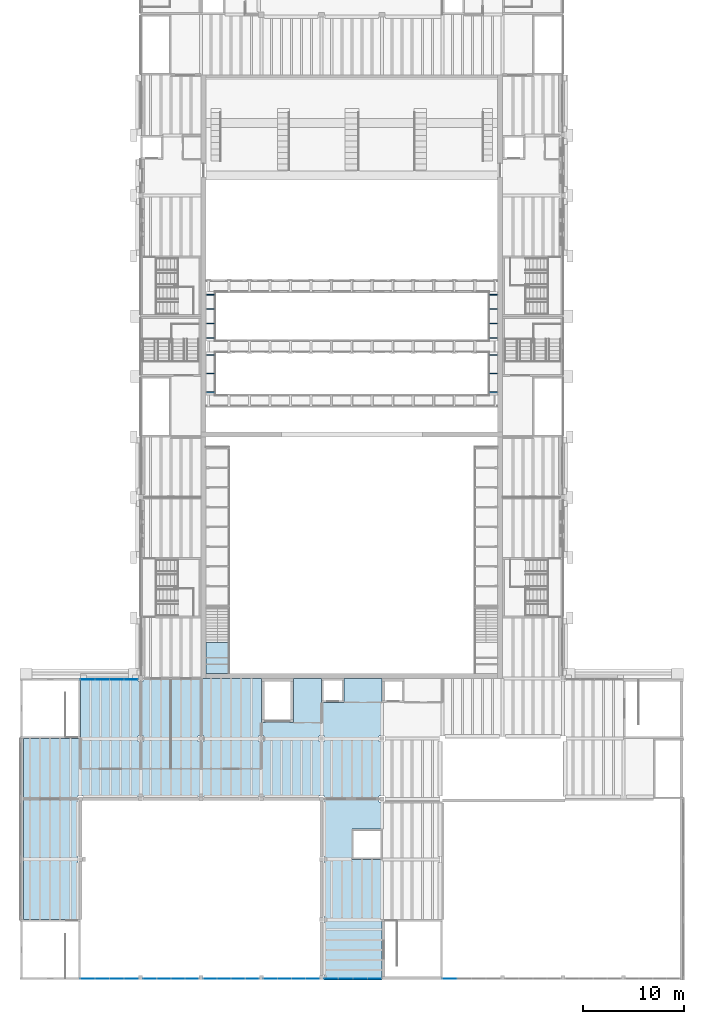
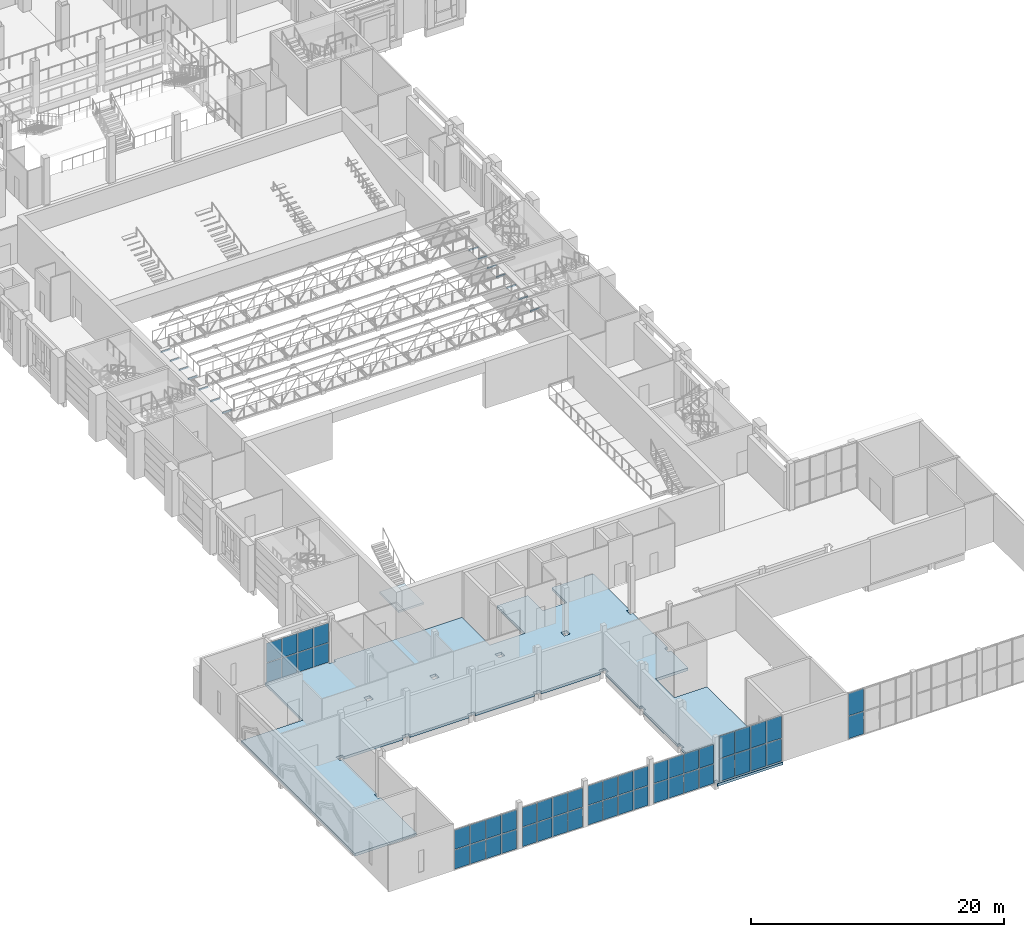
# One storey, part 17 of 70: 50 plates, 14 beams, 2 slabs, 8 elements without a shape of their own.
"""IFC4 building model written with IfcOpenShell, lengths in metres."""

from ifc_helpers import new_model, si_unit, direction, frame, origin, origin_2d, place, context, subcontext, project, spatial, polyline, rectangle, hollow_rectangle, outline, extrude, material, layer, layer_set, material_profile, profile_set, type_object, element, aggregate, save


model = new_model("IFC4")

# Units and contexts
model_context = context("Model", 3, precision=1e-05, world=origin(), true_north=direction((0.0, 1.0)))
body_context = subcontext(model_context, "Body", "Model", "MODEL_VIEW")
ifc_project = project(units=[si_unit("LENGTHUNIT", "METRE"), si_unit("AREAUNIT", "SQUARE_METRE"), si_unit("VOLUMEUNIT", "CUBIC_METRE"), si_unit("PLANEANGLEUNIT", "RADIAN"), si_unit("MASSUNIT", "GRAM", prefix="KILO")], contexts=[model_context])

# Site, building, storey
site_placement = place(None, origin())
site = spatial("IfcSite", under=ifc_project, at=site_placement, CompositionType="ELEMENT")
building_placement = place(site_placement, origin())
building = spatial("IfcBuilding", under=site, at=building_placement, Name="Saffron Lane Theatres", CompositionType="ELEMENT")
storey_placement = place(building_placement, frame((0.0, 0.0, 12.0)))
storey = spatial("IfcBuildingStorey", under=building, at=storey_placement, Name="L02", CompositionType="ELEMENT", Elevation=12.0)

# Beams
ifc_material_1 = material(Name="Steel Grade 350", Category="steel")
ifc_material_profile = material_profile(ifc_material_1, hollow_rectangle(XDim=0.074951171875, YDim=0.125, WallThickness=0.0048828125, InnerFilletRadius=0.00244140625, OuterFilletRadius=0.007568359375, at=origin_2d()))
ifc_profile_set = profile_set([ifc_material_profile], Name="Steel Grade 350")
beam_type = type_object("IfcBeamType", Name="ST-GALLERY EDGE 125x75x5 RHS", PredefinedType="BEAM", material=ifc_profile_set)
for number, where, z_axis, x_axis, name in (
    (1, (18.5, 58.449951171875, 4.3974609375), (1.0, 0.0, 0.0), (0.0, 1.0, 0.0), "CW1"),
    (2, (18.5, 60.300048828125, 4.3974609375), (1.0, 0.0, 0.0), (0.0, 1.0, 0.0), "CW2"),
    (3, (18.5, 62.14990234375, 4.3974609375), (1.0, 0.0, 0.0), (0.0, 1.0, 0.0), "CW3"),
    (4, (46.64990234375, 58.449951171875, 4.3974609375), (1.0, 0.0, 0.0), (0.0, 1.0, 0.0), "CW4"),
    (5, (46.64990234375, 60.300048828125, 4.3974609375), (1.0, 0.0, 0.0), (0.0, 1.0, 0.0), "CW5"),
    (6, (46.64990234375, 62.14990234375, 4.3974609375), (1.0, 0.0, 0.0), (0.0, 1.0, 0.0), "CW6"),
    (7, (18.5, 63.85009765625, 4.3974609375), (1.0, 0.0, 0.0), (0.0, 1.0, 0.0), "CW7"),
    (8, (18.5, 65.283447265625, 4.3974609375), (1.0, 0.0, 0.0), (0.0, 1.0, 0.0), "CW8"),
    (9, (18.5, 66.716552734375, 4.3974609375), (1.0, 0.0, 0.0), (0.0, 1.0, 0.0), "CW9"),
    (10, (18.5, 68.14990234375, 4.3974609375), (1.0, 0.0, 0.0), (0.0, 1.0, 0.0), "CW10"),
    (11, (46.64990234375, 63.85009765625, 4.3974609375), (1.0, 0.0, 0.0), (0.0, 1.0, 0.0), "CW11"),
    (12, (46.64990234375, 65.283447265625, 4.3974609375), (1.0, 0.0, 0.0), (0.0, 1.0, 0.0), "CW12"),
    (13, (46.64990234375, 66.716552734375, 4.3974609375), (1.0, 0.0, 0.0), (0.0, 1.0, 0.0), "CW13"),
    (14, (46.64990234375, 68.14990234375, 4.3974609375), (1.0, 0.0, 0.0), (0.0, 1.0, 0.0), "CW14"),
):
    element("IfcBeam", number, at=place(storey_placement, frame(where, z_axis=z_axis, x_axis=x_axis)), inside=storey, type_object=beam_type, Name=name, PredefinedType="BEAM", context=body_context, shape_type="SweptSolid", body=[
        extrude(hollow_rectangle(XDim=0.074951171875, YDim=0.125, WallThickness=0.0048828125, InnerFilletRadius=0.00244140625, OuterFilletRadius=0.007568359375, at=origin_2d()), origin(), (0.0, 0.0, 1.0), 0.85009765625),
    ])

# Curtain wall, plates
ifc_material_2 = material(Name="Aluminium", Category="aluminium")
curtain_wall_type_1 = type_object("IfcCurtainWallType", Name="EX-CURTAIN WALL 5780x3900x160", PredefinedType="NOTDEFINED", material=ifc_material_2)
curtain_wall_1_placement = place(storey_placement, origin())
curtain_wall_1 = element("IfcCurtainWall", 15, at=curtain_wall_1_placement, inside=storey, type_object=curtain_wall_type_1, Name="Curtain wall L02 01", PredefinedType="NOTDEFINED")
ifc_material_3 = material(Name="Glass", Category="glass")
ifc_layer_1 = layer(ifc_material_3, 0.02392578125)
ifc_layer_set_1 = layer_set([ifc_layer_1], Name="Glass")
plate_type_1 = type_object("IfcPlateType", Name="EX-CW PANEL GLAZING 24", PredefinedType="CURTAIN_PANEL", material=ifc_layer_set_1)
plate_1_placement = place(storey_placement, frame((6.73681640625, 29.8701171875, 0.06005859375), z_axis=(0.0, 0.0, 1.0), x_axis=(1.0, 0.0, 0.0)))
plate_1 = element("IfcPlate", 16, at=plate_1_placement, type_object=plate_type_1, Name="CW-02-01 panel 1.1", PredefinedType="CURTAIN_PANEL", context=body_context, shape_type="SweptSolid", body=[
    extrude(rectangle(XDim=1.353759765625, YDim=0.02392578125, at=origin_2d()), origin(), (0.0, 0.0, 1.0), 1.85986328125),
])
plate_2_placement = place(storey_placement, frame((6.73681640625, 29.8701171875, 1.97998046875), z_axis=(0.0, 0.0, 1.0), x_axis=(1.0, 0.0, 0.0)))
plate_2 = element("IfcPlate", 17, at=plate_2_placement, type_object=plate_type_1, Name="CW-02-01 panel 1.2", PredefinedType="CURTAIN_PANEL", context=body_context, shape_type="SweptSolid", body=[
    extrude(rectangle(XDim=1.353759765625, YDim=0.02392578125, at=origin_2d()), origin(), (0.0, 0.0, 1.0), 1.85986328125),
])
plate_3_placement = place(storey_placement, frame((8.16552734375, 29.8701171875, 0.06005859375), z_axis=(0.0, 0.0, 1.0), x_axis=(1.0, 0.0, 0.0)))
plate_3 = element("IfcPlate", 18, at=plate_3_placement, type_object=plate_type_1, Name="CW-02-01 panel 2.1", PredefinedType="CURTAIN_PANEL", context=body_context, shape_type="SweptSolid", body=[
    extrude(rectangle(XDim=1.3837890625, YDim=0.02392578125, at=origin_2d()), origin(), (0.0, 0.0, 1.0), 1.85986328125),
])
plate_4_placement = place(storey_placement, frame((8.16552734375, 29.8701171875, 1.97998046875), z_axis=(0.0, 0.0, 1.0), x_axis=(1.0, 0.0, 0.0)))
plate_4 = element("IfcPlate", 19, at=plate_4_placement, type_object=plate_type_1, Name="CW-02-01 panel 2.2", PredefinedType="CURTAIN_PANEL", context=body_context, shape_type="SweptSolid", body=[
    extrude(rectangle(XDim=1.3837890625, YDim=0.02392578125, at=origin_2d()), origin(), (0.0, 0.0, 1.0), 1.85986328125),
])
plate_5_placement = place(storey_placement, frame((9.609375, 29.8701171875, 0.06005859375), z_axis=(0.0, 0.0, 1.0), x_axis=(1.0, 0.0, 0.0)))
plate_5 = element("IfcPlate", 20, at=plate_5_placement, type_object=plate_type_1, Name="CW-02-01 panel 3.1", PredefinedType="CURTAIN_PANEL", context=body_context, shape_type="SweptSolid", body=[
    extrude(rectangle(XDim=1.3837890625, YDim=0.02392578125, at=origin_2d()), origin(), (0.0, 0.0, 1.0), 1.85986328125),
])
plate_6_placement = place(storey_placement, frame((9.609375, 29.8701171875, 1.97998046875), z_axis=(0.0, 0.0, 1.0), x_axis=(1.0, 0.0, 0.0)))
plate_6 = element("IfcPlate", 21, at=plate_6_placement, type_object=plate_type_1, Name="CW-02-01 panel 3.2", PredefinedType="CURTAIN_PANEL", context=body_context, shape_type="SweptSolid", body=[
    extrude(rectangle(XDim=1.3837890625, YDim=0.02392578125, at=origin_2d()), origin(), (0.0, 0.0, 1.0), 1.85986328125),
])
plate_7_placement = place(storey_placement, frame((11.0380859375, 29.8701171875, 0.06005859375), z_axis=(0.0, 0.0, 1.0), x_axis=(1.0, 0.0, 0.0)))
plate_7 = element("IfcPlate", 22, at=plate_7_placement, type_object=plate_type_1, Name="CW-02-01 panel 4.1", PredefinedType="CURTAIN_PANEL", context=body_context, shape_type="SweptSolid", body=[
    extrude(rectangle(XDim=1.353759765625, YDim=0.02392578125, at=origin_2d()), origin(), (0.0, 0.0, 1.0), 1.85986328125),
])
plate_8_placement = place(storey_placement, frame((11.0380859375, 29.8701171875, 1.97998046875), z_axis=(0.0, 0.0, 1.0), x_axis=(1.0, 0.0, 0.0)))
plate_8 = element("IfcPlate", 23, at=plate_8_placement, type_object=plate_type_1, Name="CW-02-01 panel 4.2", PredefinedType="CURTAIN_PANEL", context=body_context, shape_type="SweptSolid", body=[
    extrude(rectangle(XDim=1.353759765625, YDim=0.02392578125, at=origin_2d()), origin(), (0.0, 0.0, 1.0), 1.85986328125),
])
aggregate(curtain_wall_1, [plate_1, plate_2, plate_3, plate_4, plate_5, plate_6, plate_7, plate_8])

ifc_material_4 = material(Name="Aluminium", Category="aluminium")
curtain_wall_type_2 = type_object("IfcCurtainWallType", Name="EX-CURTAIN WALL 5600x3900x160", PredefinedType="NOTDEFINED", material=ifc_material_4)
curtain_wall_2_placement = place(storey_placement, origin())
curtain_wall_2 = element("IfcCurtainWall", 24, at=curtain_wall_2_placement, inside=storey, type_object=curtain_wall_type_2, Name="Curtain wall L02 10", PredefinedType="NOTDEFINED")
plate_9_placement = place(storey_placement, frame((29.0849609375, 0.1298828125, 0.06005859375), z_axis=(0.0, 0.0, 1.0), x_axis=(-1.0, 0.0, 0.0)))
plate_9 = element("IfcPlate", 25, at=plate_9_placement, type_object=plate_type_1, Name="CW-02-10 panel 1.1", PredefinedType="CURTAIN_PANEL", context=body_context, shape_type="SweptSolid", body=[
    extrude(rectangle(XDim=1.31005859375, YDim=0.02392578125, at=origin_2d()), origin(), (0.0, 0.0, 1.0), 1.85986328125),
])
plate_10_placement = place(storey_placement, frame((29.0849609375, 0.1298828125, 1.97998046875), z_axis=(0.0, 0.0, 1.0), x_axis=(-1.0, 0.0, 0.0)))
plate_10 = element("IfcPlate", 26, at=plate_10_placement, type_object=plate_type_1, Name="CW-02-10 panel 1.2", PredefinedType="CURTAIN_PANEL", context=body_context, shape_type="SweptSolid", body=[
    extrude(rectangle(XDim=1.31005859375, YDim=0.02392578125, at=origin_2d()), origin(), (0.0, 0.0, 1.0), 1.85986328125),
])
plate_11_placement = place(storey_placement, frame((27.699951171875, 0.1298828125, 0.06005859375), z_axis=(0.0, 0.0, 1.0), x_axis=(-1.0, 0.0, 0.0)))
plate_11 = element("IfcPlate", 27, at=plate_11_placement, type_object=plate_type_1, Name="CW-02-10 panel 2.1", PredefinedType="CURTAIN_PANEL", context=body_context, shape_type="SweptSolid", body=[
    extrude(rectangle(XDim=1.340087890625, YDim=0.02392578125, at=origin_2d()), origin(), (0.0, 0.0, 1.0), 1.85986328125),
])
plate_12_placement = place(storey_placement, frame((27.699951171875, 0.1298828125, 1.97998046875), z_axis=(0.0, 0.0, 1.0), x_axis=(-1.0, 0.0, 0.0)))
plate_12 = element("IfcPlate", 28, at=plate_12_placement, type_object=plate_type_1, Name="CW-02-10 panel 2.2", PredefinedType="CURTAIN_PANEL", context=body_context, shape_type="SweptSolid", body=[
    extrude(rectangle(XDim=1.340087890625, YDim=0.02392578125, at=origin_2d()), origin(), (0.0, 0.0, 1.0), 1.85986328125),
])
plate_13_placement = place(storey_placement, frame((26.300048828125, 0.1298828125, 0.06005859375), z_axis=(0.0, 0.0, 1.0), x_axis=(-1.0, 0.0, 0.0)))
plate_13 = element("IfcPlate", 29, at=plate_13_placement, type_object=plate_type_1, Name="CW-02-10 panel 3.1", PredefinedType="CURTAIN_PANEL", context=body_context, shape_type="SweptSolid", body=[
    extrude(rectangle(XDim=1.340087890625, YDim=0.02392578125, at=origin_2d()), origin(), (0.0, 0.0, 1.0), 1.85986328125),
])
plate_14_placement = place(storey_placement, frame((26.300048828125, 0.1298828125, 1.97998046875), z_axis=(0.0, 0.0, 1.0), x_axis=(-1.0, 0.0, 0.0)))
plate_14 = element("IfcPlate", 30, at=plate_14_placement, type_object=plate_type_1, Name="CW-02-10 panel 3.2", PredefinedType="CURTAIN_PANEL", context=body_context, shape_type="SweptSolid", body=[
    extrude(rectangle(XDim=1.340087890625, YDim=0.02392578125, at=origin_2d()), origin(), (0.0, 0.0, 1.0), 1.85986328125),
])
plate_15_placement = place(storey_placement, frame((24.9150390625, 0.1298828125, 0.06005859375), z_axis=(0.0, 0.0, 1.0), x_axis=(-1.0, 0.0, 0.0)))
plate_15 = element("IfcPlate", 31, at=plate_15_placement, type_object=plate_type_1, Name="CW-02-10 panel 4.1", PredefinedType="CURTAIN_PANEL", context=body_context, shape_type="SweptSolid", body=[
    extrude(rectangle(XDim=1.31005859375, YDim=0.02392578125, at=origin_2d()), origin(), (0.0, 0.0, 1.0), 1.85986328125),
])
plate_16_placement = place(storey_placement, frame((24.9150390625, 0.1298828125, 1.97998046875), z_axis=(0.0, 0.0, 1.0), x_axis=(-1.0, 0.0, 0.0)))
plate_16 = element("IfcPlate", 32, at=plate_16_placement, type_object=plate_type_1, Name="CW-02-10 panel 4.2", PredefinedType="CURTAIN_PANEL", context=body_context, shape_type="SweptSolid", body=[
    extrude(rectangle(XDim=1.31005859375, YDim=0.02392578125, at=origin_2d()), origin(), (0.0, 0.0, 1.0), 1.85986328125),
])
aggregate(curtain_wall_2, [plate_9, plate_10, plate_11, plate_12, plate_13, plate_14, plate_15, plate_16])

curtain_wall_3_placement = place(storey_placement, origin())
curtain_wall_3 = element("IfcCurtainWall", 33, at=curtain_wall_3_placement, inside=storey, type_object=curtain_wall_type_2, Name="Curtain wall L02 11", PredefinedType="NOTDEFINED")
plate_17_placement = place(storey_placement, frame((23.0849609375, 0.1298828125, 0.06005859375), z_axis=(0.0, 0.0, 1.0), x_axis=(-1.0, 0.0, 0.0)))
plate_17 = element("IfcPlate", 34, at=plate_17_placement, type_object=plate_type_1, Name="CW-02-11 panel 1.1", PredefinedType="CURTAIN_PANEL", context=body_context, shape_type="SweptSolid", body=[
    extrude(rectangle(XDim=1.31005859375, YDim=0.02392578125, at=origin_2d()), origin(), (0.0, 0.0, 1.0), 1.85986328125),
])
plate_18_placement = place(storey_placement, frame((23.0849609375, 0.1298828125, 1.97998046875), z_axis=(0.0, 0.0, 1.0), x_axis=(-1.0, 0.0, 0.0)))
plate_18 = element("IfcPlate", 35, at=plate_18_placement, type_object=plate_type_1, Name="CW-02-11 panel 1.2", PredefinedType="CURTAIN_PANEL", context=body_context, shape_type="SweptSolid", body=[
    extrude(rectangle(XDim=1.31005859375, YDim=0.02392578125, at=origin_2d()), origin(), (0.0, 0.0, 1.0), 1.85986328125),
])
plate_19_placement = place(storey_placement, frame((21.699951171875, 0.1298828125, 0.06005859375), z_axis=(0.0, 0.0, 1.0), x_axis=(-1.0, 0.0, 0.0)))
plate_19 = element("IfcPlate", 36, at=plate_19_placement, type_object=plate_type_1, Name="CW-02-11 panel 2.1", PredefinedType="CURTAIN_PANEL", context=body_context, shape_type="SweptSolid", body=[
    extrude(rectangle(XDim=1.340087890625, YDim=0.02392578125, at=origin_2d()), origin(), (0.0, 0.0, 1.0), 1.85986328125),
])
plate_20_placement = place(storey_placement, frame((21.699951171875, 0.1298828125, 1.97998046875), z_axis=(0.0, 0.0, 1.0), x_axis=(-1.0, 0.0, 0.0)))
plate_20 = element("IfcPlate", 37, at=plate_20_placement, type_object=plate_type_1, Name="CW-02-11 panel 2.2", PredefinedType="CURTAIN_PANEL", context=body_context, shape_type="SweptSolid", body=[
    extrude(rectangle(XDim=1.340087890625, YDim=0.02392578125, at=origin_2d()), origin(), (0.0, 0.0, 1.0), 1.85986328125),
])
plate_21_placement = place(storey_placement, frame((20.300048828125, 0.1298828125, 0.06005859375), z_axis=(0.0, 0.0, 1.0), x_axis=(-1.0, 0.0, 0.0)))
plate_21 = element("IfcPlate", 38, at=plate_21_placement, type_object=plate_type_1, Name="CW-02-11 panel 3.1", PredefinedType="CURTAIN_PANEL", context=body_context, shape_type="SweptSolid", body=[
    extrude(rectangle(XDim=1.340087890625, YDim=0.02392578125, at=origin_2d()), origin(), (0.0, 0.0, 1.0), 1.85986328125),
])
plate_22_placement = place(storey_placement, frame((20.300048828125, 0.1298828125, 1.97998046875), z_axis=(0.0, 0.0, 1.0), x_axis=(-1.0, 0.0, 0.0)))
plate_22 = element("IfcPlate", 39, at=plate_22_placement, type_object=plate_type_1, Name="CW-02-11 panel 3.2", PredefinedType="CURTAIN_PANEL", context=body_context, shape_type="SweptSolid", body=[
    extrude(rectangle(XDim=1.340087890625, YDim=0.02392578125, at=origin_2d()), origin(), (0.0, 0.0, 1.0), 1.85986328125),
])
plate_23_placement = place(storey_placement, frame((18.9150390625, 0.1298828125, 0.06005859375), z_axis=(0.0, 0.0, 1.0), x_axis=(-1.0, 0.0, 0.0)))
plate_23 = element("IfcPlate", 40, at=plate_23_placement, type_object=plate_type_1, Name="CW-02-11 panel 4.1", PredefinedType="CURTAIN_PANEL", context=body_context, shape_type="SweptSolid", body=[
    extrude(rectangle(XDim=1.31005859375, YDim=0.02392578125, at=origin_2d()), origin(), (0.0, 0.0, 1.0), 1.85986328125),
])
plate_24_placement = place(storey_placement, frame((18.9150390625, 0.1298828125, 1.97998046875), z_axis=(0.0, 0.0, 1.0), x_axis=(-1.0, 0.0, 0.0)))
plate_24 = element("IfcPlate", 41, at=plate_24_placement, type_object=plate_type_1, Name="CW-02-11 panel 4.2", PredefinedType="CURTAIN_PANEL", context=body_context, shape_type="SweptSolid", body=[
    extrude(rectangle(XDim=1.31005859375, YDim=0.02392578125, at=origin_2d()), origin(), (0.0, 0.0, 1.0), 1.85986328125),
])
aggregate(curtain_wall_3, [plate_17, plate_18, plate_19, plate_20, plate_21, plate_22, plate_23, plate_24])

curtain_wall_4_placement = place(storey_placement, origin())
curtain_wall_4 = element("IfcCurtainWall", 42, at=curtain_wall_4_placement, inside=storey, type_object=curtain_wall_type_2, Name="Curtain wall L02 12", PredefinedType="NOTDEFINED")
plate_25_placement = place(storey_placement, frame((17.0849609375, 0.1298828125, 0.06005859375), z_axis=(0.0, 0.0, 1.0), x_axis=(-1.0, 0.0, 0.0)))
plate_25 = element("IfcPlate", 43, at=plate_25_placement, type_object=plate_type_1, Name="CW-02-12 panel 1.1", PredefinedType="CURTAIN_PANEL", context=body_context, shape_type="SweptSolid", body=[
    extrude(rectangle(XDim=1.31005859375, YDim=0.02392578125, at=origin_2d()), origin(), (0.0, 0.0, 1.0), 1.85986328125),
])
plate_26_placement = place(storey_placement, frame((17.0849609375, 0.1298828125, 1.97998046875), z_axis=(0.0, 0.0, 1.0), x_axis=(-1.0, 0.0, 0.0)))
plate_26 = element("IfcPlate", 44, at=plate_26_placement, type_object=plate_type_1, Name="CW-02-12 panel 1.2", PredefinedType="CURTAIN_PANEL", context=body_context, shape_type="SweptSolid", body=[
    extrude(rectangle(XDim=1.31005859375, YDim=0.02392578125, at=origin_2d()), origin(), (0.0, 0.0, 1.0), 1.85986328125),
])
plate_27_placement = place(storey_placement, frame((15.699951171875, 0.1298828125, 0.06005859375), z_axis=(0.0, 0.0, 1.0), x_axis=(-1.0, 0.0, 0.0)))
plate_27 = element("IfcPlate", 45, at=plate_27_placement, type_object=plate_type_1, Name="CW-02-12 panel 2.1", PredefinedType="CURTAIN_PANEL", context=body_context, shape_type="SweptSolid", body=[
    extrude(rectangle(XDim=1.340087890625, YDim=0.02392578125, at=origin_2d()), origin(), (0.0, 0.0, 1.0), 1.85986328125),
])
plate_28_placement = place(storey_placement, frame((15.699951171875, 0.1298828125, 1.97998046875), z_axis=(0.0, 0.0, 1.0), x_axis=(-1.0, 0.0, 0.0)))
plate_28 = element("IfcPlate", 46, at=plate_28_placement, type_object=plate_type_1, Name="CW-02-12 panel 2.2", PredefinedType="CURTAIN_PANEL", context=body_context, shape_type="SweptSolid", body=[
    extrude(rectangle(XDim=1.340087890625, YDim=0.02392578125, at=origin_2d()), origin(), (0.0, 0.0, 1.0), 1.85986328125),
])
plate_29_placement = place(storey_placement, frame((14.300048828125, 0.1298828125, 0.06005859375), z_axis=(0.0, 0.0, 1.0), x_axis=(-1.0, 0.0, 0.0)))
plate_29 = element("IfcPlate", 47, at=plate_29_placement, type_object=plate_type_1, Name="CW-02-12 panel 3.1", PredefinedType="CURTAIN_PANEL", context=body_context, shape_type="SweptSolid", body=[
    extrude(rectangle(XDim=1.340087890625, YDim=0.02392578125, at=origin_2d()), origin(), (0.0, 0.0, 1.0), 1.85986328125),
])
plate_30_placement = place(storey_placement, frame((14.300048828125, 0.1298828125, 1.97998046875), z_axis=(0.0, 0.0, 1.0), x_axis=(-1.0, 0.0, 0.0)))
plate_30 = element("IfcPlate", 48, at=plate_30_placement, type_object=plate_type_1, Name="CW-02-12 panel 3.2", PredefinedType="CURTAIN_PANEL", context=body_context, shape_type="SweptSolid", body=[
    extrude(rectangle(XDim=1.340087890625, YDim=0.02392578125, at=origin_2d()), origin(), (0.0, 0.0, 1.0), 1.85986328125),
])
plate_31_placement = place(storey_placement, frame((12.9150390625, 0.1298828125, 0.06005859375), z_axis=(0.0, 0.0, 1.0), x_axis=(-1.0, 0.0, 0.0)))
plate_31 = element("IfcPlate", 49, at=plate_31_placement, type_object=plate_type_1, Name="CW-02-12 panel 4.1", PredefinedType="CURTAIN_PANEL", context=body_context, shape_type="SweptSolid", body=[
    extrude(rectangle(XDim=1.31005859375, YDim=0.02392578125, at=origin_2d()), origin(), (0.0, 0.0, 1.0), 1.85986328125),
])
plate_32_placement = place(storey_placement, frame((12.9150390625, 0.1298828125, 1.97998046875), z_axis=(0.0, 0.0, 1.0), x_axis=(-1.0, 0.0, 0.0)))
plate_32 = element("IfcPlate", 50, at=plate_32_placement, type_object=plate_type_1, Name="CW-02-12 panel 4.2", PredefinedType="CURTAIN_PANEL", context=body_context, shape_type="SweptSolid", body=[
    extrude(rectangle(XDim=1.31005859375, YDim=0.02392578125, at=origin_2d()), origin(), (0.0, 0.0, 1.0), 1.85986328125),
])
aggregate(curtain_wall_4, [plate_25, plate_26, plate_27, plate_28, plate_29, plate_30, plate_31, plate_32])

ifc_material_5 = material(Name="Aluminium", Category="aluminium")
curtain_wall_type_3 = type_object("IfcCurtainWallType", Name="EX-CURTAIN WALL 5800x3900x160", PredefinedType="NOTDEFINED", material=ifc_material_5)
curtain_wall_5_placement = place(storey_placement, origin())
curtain_wall_5 = element("IfcCurtainWall", 51, at=curtain_wall_5_placement, inside=storey, type_object=curtain_wall_type_3, Name="Curtain wall L02 13", PredefinedType="NOTDEFINED")
plate_33_placement = place(storey_placement, frame((11.06005859375, 0.1298828125, 0.06005859375), z_axis=(0.0, 0.0, 1.0), x_axis=(-1.0, 0.0, 0.0)))
plate_33 = element("IfcPlate", 52, at=plate_33_placement, type_object=plate_type_1, Name="CW-02-13 panel 1.1", PredefinedType="CURTAIN_PANEL", context=body_context, shape_type="SweptSolid", body=[
    extrude(rectangle(XDim=1.360107421875, YDim=0.02392578125, at=origin_2d()), origin(), (0.0, 0.0, 1.0), 1.85986328125),
])
plate_34_placement = place(storey_placement, frame((11.06005859375, 0.1298828125, 1.97998046875), z_axis=(0.0, 0.0, 1.0), x_axis=(-1.0, 0.0, 0.0)))
plate_34 = element("IfcPlate", 53, at=plate_34_placement, type_object=plate_type_1, Name="CW-02-13 panel 1.2", PredefinedType="CURTAIN_PANEL", context=body_context, shape_type="SweptSolid", body=[
    extrude(rectangle(XDim=1.360107421875, YDim=0.02392578125, at=origin_2d()), origin(), (0.0, 0.0, 1.0), 1.85986328125),
])
plate_35_placement = place(storey_placement, frame((9.625, 0.1298828125, 0.06005859375), z_axis=(0.0, 0.0, 1.0), x_axis=(-1.0, 0.0, 0.0)))
plate_35 = element("IfcPlate", 54, at=plate_35_placement, type_object=plate_type_1, Name="CW-02-13 panel 2.1", PredefinedType="CURTAIN_PANEL", context=body_context, shape_type="SweptSolid", body=[
    extrude(rectangle(XDim=1.389892578125, YDim=0.02392578125, at=origin_2d()), origin(), (0.0, 0.0, 1.0), 1.85986328125),
])
plate_36_placement = place(storey_placement, frame((9.625, 0.1298828125, 1.97998046875), z_axis=(0.0, 0.0, 1.0), x_axis=(-1.0, 0.0, 0.0)))
plate_36 = element("IfcPlate", 55, at=plate_36_placement, type_object=plate_type_1, Name="CW-02-13 panel 2.2", PredefinedType="CURTAIN_PANEL", context=body_context, shape_type="SweptSolid", body=[
    extrude(rectangle(XDim=1.389892578125, YDim=0.02392578125, at=origin_2d()), origin(), (0.0, 0.0, 1.0), 1.85986328125),
])
plate_37_placement = place(storey_placement, frame((8.175048828125, 0.1298828125, 0.06005859375), z_axis=(0.0, 0.0, 1.0), x_axis=(-1.0, 0.0, 0.0)))
plate_37 = element("IfcPlate", 56, at=plate_37_placement, type_object=plate_type_1, Name="CW-02-13 panel 3.1", PredefinedType="CURTAIN_PANEL", context=body_context, shape_type="SweptSolid", body=[
    extrude(rectangle(XDim=1.389892578125, YDim=0.02392578125, at=origin_2d()), origin(), (0.0, 0.0, 1.0), 1.85986328125),
])
plate_38_placement = place(storey_placement, frame((8.175048828125, 0.1298828125, 1.97998046875), z_axis=(0.0, 0.0, 1.0), x_axis=(-1.0, 0.0, 0.0)))
plate_38 = element("IfcPlate", 57, at=plate_38_placement, type_object=plate_type_1, Name="CW-02-13 panel 3.2", PredefinedType="CURTAIN_PANEL", context=body_context, shape_type="SweptSolid", body=[
    extrude(rectangle(XDim=1.389892578125, YDim=0.02392578125, at=origin_2d()), origin(), (0.0, 0.0, 1.0), 1.85986328125),
])
plate_39_placement = place(storey_placement, frame((6.739990234375, 0.1298828125, 0.06005859375), z_axis=(0.0, 0.0, 1.0), x_axis=(-1.0, 0.0, 0.0)))
plate_39 = element("IfcPlate", 58, at=plate_39_placement, type_object=plate_type_1, Name="CW-02-13 panel 4.1", PredefinedType="CURTAIN_PANEL", context=body_context, shape_type="SweptSolid", body=[
    extrude(rectangle(XDim=1.360107421875, YDim=0.02392578125, at=origin_2d()), origin(), (0.0, 0.0, 1.0), 1.85986328125),
])
plate_40_placement = place(storey_placement, frame((6.739990234375, 0.1298828125, 1.97998046875), z_axis=(0.0, 0.0, 1.0), x_axis=(-1.0, 0.0, 0.0)))
plate_40 = element("IfcPlate", 59, at=plate_40_placement, type_object=plate_type_1, Name="CW-02-13 panel 4.2", PredefinedType="CURTAIN_PANEL", context=body_context, shape_type="SweptSolid", body=[
    extrude(rectangle(XDim=1.360107421875, YDim=0.02392578125, at=origin_2d()), origin(), (0.0, 0.0, 1.0), 1.85986328125),
])
aggregate(curtain_wall_5, [plate_33, plate_34, plate_35, plate_36, plate_37, plate_38, plate_39, plate_40])

ifc_material_6 = material(Name="Aluminium", Category="aluminium")
curtain_wall_type_4 = type_object("IfcCurtainWallType", Name="EX-CURTAIN WALL 5800x4500x160", PredefinedType="NOTDEFINED", material=ifc_material_6)
curtain_wall_6_placement = place(storey_placement, origin())
curtain_wall_6 = element("IfcCurtainWall", 60, at=curtain_wall_6_placement, inside=storey, type_object=curtain_wall_type_4, Name="Curtain wall L02 08", PredefinedType="NOTDEFINED")
ifc_material_7 = material(Name="Glass", Category="glass")
ifc_layer_2 = layer(ifc_material_7, 0.028076171875)
ifc_layer_set_2 = layer_set([ifc_layer_2], Name="Glass")
plate_type_2 = type_object("IfcPlateType", Name="EX-CW PANEL GLAZING 28", PredefinedType="CURTAIN_PANEL", material=ifc_layer_set_2)
plate_41_placement = place(storey_placement, frame((42.739990234375, 0.1298828125, 0.06005859375), z_axis=(0.0, 0.0, 1.0), x_axis=(-1.0, 0.0, 0.0)))
plate_41 = element("IfcPlate", 61, at=plate_41_placement, type_object=plate_type_2, Name="CW-02-08 panel 4.1", PredefinedType="CURTAIN_PANEL", context=body_context, shape_type="SweptSolid", body=[
    extrude(rectangle(XDim=1.360107421875, YDim=0.028076171875, at=origin_2d()), origin(), (0.0, 0.0, 1.0), 2.159912109375),
])
plate_42_placement = place(storey_placement, frame((42.739990234375, 0.1298828125, 2.2802734375), z_axis=(0.0, 0.0, 1.0), x_axis=(-1.0, 0.0, 0.0)))
plate_42 = element("IfcPlate", 62, at=plate_42_placement, type_object=plate_type_2, Name="CW-02-08 panel 4.2", PredefinedType="CURTAIN_PANEL", context=body_context, shape_type="SweptSolid", body=[
    extrude(rectangle(XDim=1.360107421875, YDim=0.028076171875, at=origin_2d()), origin(), (0.0, 0.0, 1.0), 2.159912109375),
])
aggregate(curtain_wall_6, [plate_41, plate_42])

curtain_wall_7_placement = place(storey_placement, origin())
curtain_wall_7 = element("IfcCurtainWall", 63, at=curtain_wall_7_placement, inside=storey, type_object=curtain_wall_type_4, Name="Curtain wall L02 09", PredefinedType="NOTDEFINED")
plate_43_placement = place(storey_placement, frame((35.260009765625, 0.1298828125, 0.06005859375), z_axis=(0.0, 0.0, 1.0), x_axis=(-1.0, 0.0, 0.0)))
plate_43 = element("IfcPlate", 64, at=plate_43_placement, type_object=plate_type_2, Name="CW-02-09 panel 1.1", PredefinedType="CURTAIN_PANEL", context=body_context, shape_type="SweptSolid", body=[
    extrude(rectangle(XDim=1.360107421875, YDim=0.028076171875, at=origin_2d()), origin(), (0.0, 0.0, 1.0), 2.159912109375),
])
plate_44_placement = place(storey_placement, frame((35.260009765625, 0.1298828125, 2.2802734375), z_axis=(0.0, 0.0, 1.0), x_axis=(-1.0, 0.0, 0.0)))
plate_44 = element("IfcPlate", 65, at=plate_44_placement, type_object=plate_type_2, Name="CW-02-09 panel 1.2", PredefinedType="CURTAIN_PANEL", context=body_context, shape_type="SweptSolid", body=[
    extrude(rectangle(XDim=1.360107421875, YDim=0.028076171875, at=origin_2d()), origin(), (0.0, 0.0, 1.0), 2.159912109375),
])
plate_45_placement = place(storey_placement, frame((33.824951171875, 0.1298828125, 0.06005859375), z_axis=(0.0, 0.0, 1.0), x_axis=(-1.0, 0.0, 0.0)))
plate_45 = element("IfcPlate", 66, at=plate_45_placement, type_object=plate_type_2, Name="CW-02-09 panel 2.1", PredefinedType="CURTAIN_PANEL", context=body_context, shape_type="SweptSolid", body=[
    extrude(rectangle(XDim=1.389892578125, YDim=0.028076171875, at=origin_2d()), origin(), (0.0, 0.0, 1.0), 2.159912109375),
])
plate_46_placement = place(storey_placement, frame((33.824951171875, 0.1298828125, 2.2802734375), z_axis=(0.0, 0.0, 1.0), x_axis=(-1.0, 0.0, 0.0)))
plate_46 = element("IfcPlate", 67, at=plate_46_placement, type_object=plate_type_2, Name="CW-02-09 panel 2.2", PredefinedType="CURTAIN_PANEL", context=body_context, shape_type="SweptSolid", body=[
    extrude(rectangle(XDim=1.389892578125, YDim=0.028076171875, at=origin_2d()), origin(), (0.0, 0.0, 1.0), 2.159912109375),
])
plate_47_placement = place(storey_placement, frame((32.375, 0.1298828125, 0.06005859375), z_axis=(0.0, 0.0, 1.0), x_axis=(-1.0, 0.0, 0.0)))
plate_47 = element("IfcPlate", 68, at=plate_47_placement, type_object=plate_type_2, Name="CW-02-09 panel 3.1", PredefinedType="CURTAIN_PANEL", context=body_context, shape_type="SweptSolid", body=[
    extrude(rectangle(XDim=1.389892578125, YDim=0.028076171875, at=origin_2d()), origin(), (0.0, 0.0, 1.0), 2.159912109375),
])
plate_48_placement = place(storey_placement, frame((32.375, 0.1298828125, 2.2802734375), z_axis=(0.0, 0.0, 1.0), x_axis=(-1.0, 0.0, 0.0)))
plate_48 = element("IfcPlate", 69, at=plate_48_placement, type_object=plate_type_2, Name="CW-02-09 panel 3.2", PredefinedType="CURTAIN_PANEL", context=body_context, shape_type="SweptSolid", body=[
    extrude(rectangle(XDim=1.389892578125, YDim=0.028076171875, at=origin_2d()), origin(), (0.0, 0.0, 1.0), 2.159912109375),
])
plate_49_placement = place(storey_placement, frame((30.93994140625, 0.1298828125, 0.06005859375), z_axis=(0.0, 0.0, 1.0), x_axis=(-1.0, 0.0, 0.0)))
plate_49 = element("IfcPlate", 70, at=plate_49_placement, type_object=plate_type_2, Name="CW-02-09 panel 4.1", PredefinedType="CURTAIN_PANEL", context=body_context, shape_type="SweptSolid", body=[
    extrude(rectangle(XDim=1.360107421875, YDim=0.028076171875, at=origin_2d()), origin(), (0.0, 0.0, 1.0), 2.159912109375),
])
plate_50_placement = place(storey_placement, frame((30.93994140625, 0.1298828125, 2.2802734375), z_axis=(0.0, 0.0, 1.0), x_axis=(-1.0, 0.0, 0.0)))
plate_50 = element("IfcPlate", 71, at=plate_50_placement, type_object=plate_type_2, Name="CW-02-09 panel 4.2", PredefinedType="CURTAIN_PANEL", context=body_context, shape_type="SweptSolid", body=[
    extrude(rectangle(XDim=1.360107421875, YDim=0.028076171875, at=origin_2d()), origin(), (0.0, 0.0, 1.0), 2.159912109375),
])
aggregate(curtain_wall_7, [plate_43, plate_44, plate_45, plate_46, plate_47, plate_48, plate_49, plate_50])

# Slab
ifc_material_8 = material(Name="Concrete N40 (40 MPa)", Category="concrete")
ifc_layer_3 = layer(ifc_material_8, 0.25)
ifc_layer_set_3 = layer_set([ifc_layer_3], Name="Concrete N40 (40 MPa)")
slab_type_1 = type_object("IfcSlabType", Name="RC-SLAB FLOOR 250", PredefinedType="FLOOR", material=ifc_layer_set_3)
slab_1_placement = place(storey_placement, frame((0.0, 0.0, -0.25)))
element("IfcSlab", 72, at=slab_1_placement, inside=storey, type_object=slab_type_1, Name="slab-L02-WORKSHOP", PredefinedType="FLOOR", context=body_context, shape_type="SweptSolid", body=[
    extrude(outline(polyline([(30.0, 0.0234375), (30.0, 0.00048828125), (36.0, 0.00048828125), (36.0, 6.0), (36.0, 12.0), (33.0, 12.0), (33.0, 15.0), (36.0, 15.0), (36.0, 17.722900390625), (35.722900390625, 17.722900390625), (35.722900390625, 18.277099609375), (36.0, 18.277099609375), (36.0, 23.722900390625), (35.722900390625, 23.722900390625), (35.722900390625, 24.277099609375), (36.0, 24.277099609375), (36.0, 27.60009765625), (36.0, 30.0), (32.199951171875, 30.0), (32.199951171875, 27.60009765625), (30.0, 27.60009765625), (30.0, 30.0), (27.199951171875, 30.0), (27.199951171875, 25.60009765625), (24.0, 25.60009765625), (24.0, 30.0), (18.5, 30.0), (18.0, 30.0), (12.277099609375, 30.0), (12.277099609375, 29.722900390625), (11.722900390625, 29.722900390625), (11.722900390625, 30.0), (6.0, 30.0), (6.0, 24.0), (0.360107421875, 24.0), (0.360107421875, 6.0), (6.0, 6.0), (6.0, 11.697998046875), (5.77294921875, 11.697998046875), (5.77294921875, 12.302001953125), (6.0, 12.302001953125), (6.0, 17.722900390625), (5.722900390625, 17.722900390625), (5.722900390625, 18.277099609375), (6.277099609375, 18.277099609375), (6.277099609375, 18.0), (11.697998046875, 18.0), (11.697998046875, 18.22705078125), (12.302001953125, 18.22705078125), (12.302001953125, 18.0), (17.697998046875, 18.0), (17.697998046875, 18.22705078125), (18.302001953125, 18.22705078125), (18.302001953125, 18.0), (23.697998046875, 18.0), (23.697998046875, 18.22705078125), (24.302001953125, 18.22705078125), (24.302001953125, 18.0), (29.722900390625, 18.0), (29.722900390625, 18.277099609375), (30.277099609375, 18.277099609375), (30.277099609375, 17.722900390625), (30.0, 17.722900390625), (30.0, 12.302001953125), (30.22705078125, 12.302001953125), (30.22705078125, 11.697998046875), (30.0, 11.697998046875), (30.0, 6.302001953125), (30.22705078125, 6.302001953125), (30.22705078125, 5.697998046875), (30.0, 5.697998046875), (30.0, 0.4775390625), (30.22705078125, 0.4775390625), (30.22705078125, 0.0234375), (30.0, 0.0234375)]), holes=[polyline([(30.277099609375, 23.722900390625), (29.722900390625, 23.722900390625), (29.722900390625, 24.277099609375), (30.277099609375, 24.277099609375), (30.277099609375, 23.722900390625)]), polyline([(23.722900390625, 23.722900390625), (23.722900390625, 24.277099609375), (24.277099609375, 24.277099609375), (24.277099609375, 23.722900390625), (23.722900390625, 23.722900390625)]), polyline([(18.277099609375, 23.722900390625), (17.722900390625, 23.722900390625), (17.722900390625, 24.277099609375), (18.277099609375, 24.277099609375), (18.277099609375, 23.722900390625)]), polyline([(11.722900390625, 23.722900390625), (11.722900390625, 24.277099609375), (12.277099609375, 24.277099609375), (12.277099609375, 23.722900390625), (11.722900390625, 23.722900390625)])]), origin(), (0.0, 0.0, 1.0), 0.25),
])

# Stair, slab
ifc_material_9 = material(Name="Steel Grade 350 stair", Category="steel")
stair_type = type_object("IfcStairType", Name="ST-STEEL STAIR", PredefinedType="HALF_TURN_STAIR", material=ifc_material_9)
stair_placement = place(storey_placement, origin())
stair = element("IfcStair", 73, at=stair_placement, inside=storey, type_object=stair_type, Name="STG2", PredefinedType="HALF_TURN_STAIR")
ifc_material_10 = material(Name="Steel Grade 350 chequer plate", Category="steel")
ifc_layer_4 = layer(ifc_material_10, 0.35009765625)
ifc_layer_set_4 = layer_set([ifc_layer_4], Name="Steel Grade 350 chequer plate")
slab_type_2 = type_object("IfcSlabType", Name="ST-STAIR LANDING", PredefinedType="LANDING", material=ifc_layer_set_4)
slab_2_placement = place(storey_placement, frame((0.0, 0.0, 2.050048828125)))
slab_2 = element("IfcSlab", 74, at=slab_2_placement, type_object=slab_type_2, Name="STG2 landing 1", PredefinedType="LANDING", context=body_context, shape_type="SweptSolid", body=[
    extrude(outline(polyline([(18.5, 30.5), (20.800048828125, 30.5), (20.800048828125, 33.5400390625), (18.5, 33.5400390625), (18.5, 30.5)])), origin(), (0.0, 0.0, 1.0), 0.199951171875),
])
aggregate(stair, [slab_2])

save(model, "model.ifc")
